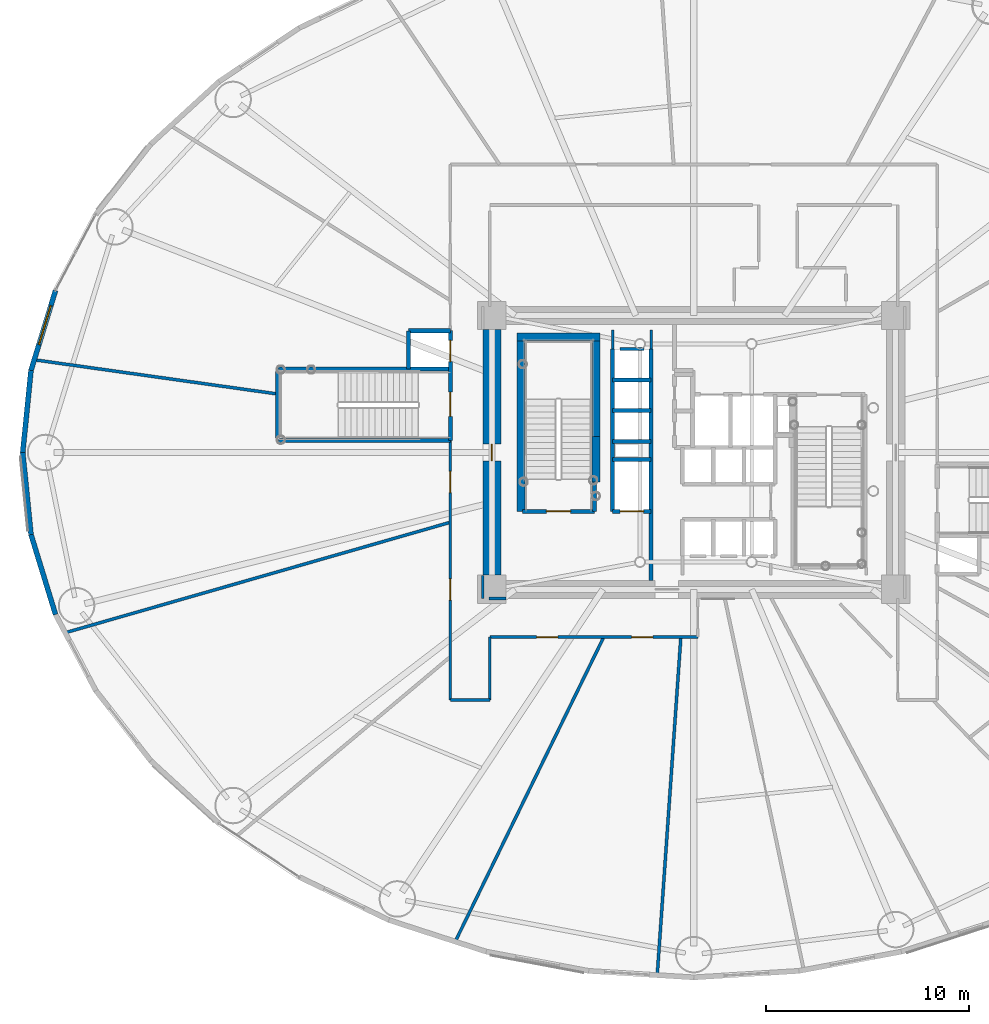
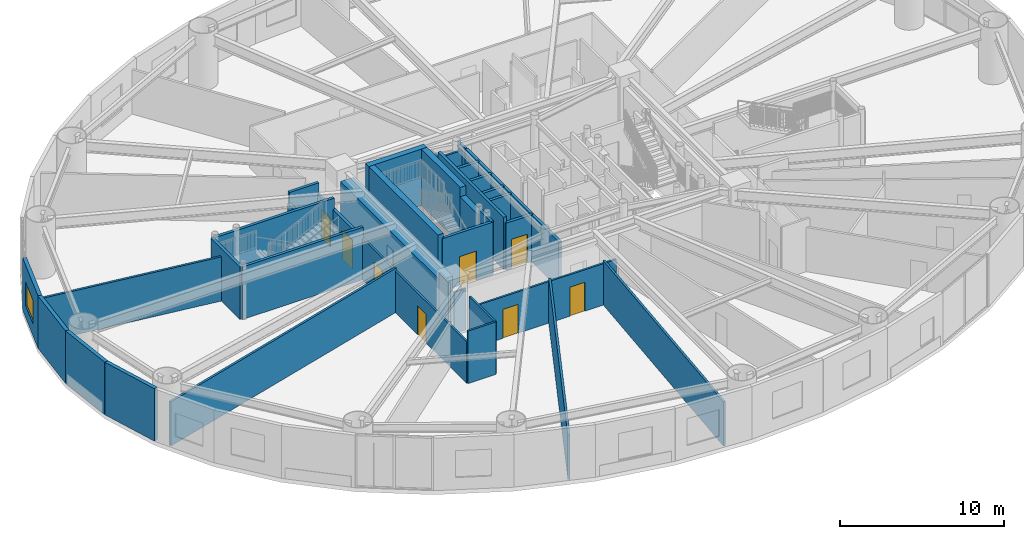
# One storey, part 13 of 27: 37 walls, 9 doors, 1 window, 10 openings.
"""IFC4 building model written with IfcOpenShell, lengths in metres."""

from ifc_helpers import new_model, si_unit, direction, frame, frame_2d, origin, origin_2d, place, context, subcontext, project, spatial, rectangle, extrude, source, transform, mapped, material, layer, layer_set, type_object, element, fill, save


model = new_model("IFC4")

# Units and contexts
model_context = context("Model", 3, precision=1e-05, world=origin(), true_north=direction((0.0, 1.0)))
body_context = subcontext(model_context, "Body", "Model", "MODEL_VIEW")
ifc_project = project(units=[si_unit("LENGTHUNIT", "METRE"), si_unit("AREAUNIT", "SQUARE_METRE"), si_unit("VOLUMEUNIT", "CUBIC_METRE"), si_unit("PLANEANGLEUNIT", "RADIAN"), si_unit("MASSUNIT", "GRAM", prefix="KILO")], contexts=[model_context])

# Site, building, storey
site_placement = place(None, origin())
site = spatial("IfcSite", under=ifc_project, at=site_placement, CompositionType="ELEMENT")
building_placement = place(site_placement, origin())
building = spatial("IfcBuilding", under=site, at=building_placement, Name="Linh Dai School and Residence Tower", CompositionType="ELEMENT")
storey_placement = place(building_placement, frame((0.0, 0.0, 18.60009765625)))
storey = spatial("IfcBuildingStorey", under=building, at=storey_placement, Name="L04", CompositionType="ELEMENT", Elevation=18.60009765625)

# Wall, opening, window
ifc_material_1 = material(Name="Precast Concrete B45 (C35/45)", Category="concrete")
ifc_layer_1 = layer(ifc_material_1, 0.25)
ifc_layer_set_1 = layer_set([ifc_layer_1], Name="Precast Concrete B45 (C35/45)")
wall_type_1 = type_object("IfcWallType", Name="EW-TC-250", PredefinedType="SOLIDWALL", material=ifc_layer_set_1)
wall_1_placement = place(storey_placement, frame((3.331298828125, 31.04248046875, 0.0), z_axis=(0.0, 0.0, 1.0), x_axis=(0.293070945898, 0.956090696885, 0.0)))
wall_1 = element("IfcWall", 1, at=wall_1_placement, inside=storey, type_object=wall_type_1, Name="L04 Terracotta Exterior Wall 19", PredefinedType="SOLIDWALL", context=body_context, shape_type="SweptSolid", body=[
    extrude(rectangle(XDim=4.125244140625, YDim=0.25, at=frame_2d((2.0625, 0.0))), origin(), (0.0, 0.0, 1.0), 3.89990234375),
])
opening_1_placement = place(wall_1_placement, frame((1.341552734375, 0.0, 0.89990234375)))
opening_1 = element("IfcOpeningElement", 2, at=opening_1_placement, cuts=wall_1, Name="Opening W1", PredefinedType="OPENING", context=body_context, shape_type="SweptSolid", body=[
    extrude(rectangle(XDim=2.0, YDim=1.75, at=origin_2d()), frame((1.0, 0.135009765625, 0.875), z_axis=(0.0, -1.0, 0.0), x_axis=(1.0, 0.0, 0.0)), (0.0, 0.0, 1.0), 0.27001953125),
])
ifc_material_2 = material(Name="Double Low-E Insulated Glazing", Category="glass")
window_type = type_object("IfcWindowType", Name="WN-RES-2000x1750", PartitioningType="DOUBLE_PANEL_VERTICAL", PredefinedType="WINDOW", material=ifc_material_2)
shared_shape_1 = source(origin(), body_context, "Body", "SweptSolid", [
    extrude(rectangle(XDim=2.0, YDim=1.75, at=origin_2d()), frame((1.0, 0.030029296875, 0.875), z_axis=(0.0, -1.0, 0.0), x_axis=(1.0, 0.0, 0.0)), (0.0, 0.0, 1.0), 0.06005859375),
])
window_placement = place(opening_1_placement, origin())
window = element("IfcWindow", 3, at=window_placement, inside=storey, type_object=window_type, Name="L04 Exterior Window 19.1", OverallHeight=1.75, OverallWidth=2.0, PartitioningType="DOUBLE_PANEL_VERTICAL", PredefinedType="WINDOW", context=body_context, shape_type="MappedRepresentation", body=[
    mapped(shared_shape_1, transform((0.0, 0.0, 0.0), x_axis=(1.0, 0.0, 0.0), y_axis=(0.0, 1.0, 0.0), z_axis=(0.0, 0.0, 1.0), scale=1.0)),
])
fill(opening_1, window)

# Walls
for number, where, z_axis, x_axis, name in (
    (4, (2.925048828125, 27.0, 0.0), (0.0, 0.0, 1.0), (0.099991575324, 0.994988283782, 0.0), "L04 Terracotta Exterior Wall 20"),
    (5, (3.331298828125, 22.95751953125, 0.0), (0.0, 0.0, 1.0), (-0.099991575324, 0.994988283782, 0.0), "L04 Terracotta Exterior Wall 21"),
):
    element("IfcWall", number, at=place(storey_placement, frame(where, z_axis=z_axis, x_axis=x_axis)), inside=storey, type_object=wall_type_1, Name=name, PredefinedType="SOLIDWALL", context=body_context, shape_type="SweptSolid", body=[
        extrude(rectangle(XDim=4.062744140625, YDim=0.25, at=frame_2d((2.03125, 0.0))), origin(), (0.0, 0.0, 1.0), 3.89990234375),
    ])
wall_2_placement = place(storey_placement, frame((4.540283203125, 19.013427734375, 0.0), z_axis=(0.0, 0.0, 1.0), x_axis=(-0.293070945898, 0.956090696885, 0.0)))
element("IfcWall", 6, at=wall_2_placement, inside=storey, type_object=wall_type_1, Name="L04 Terracotta Exterior Wall 22", PredefinedType="SOLIDWALL", context=body_context, shape_type="SweptSolid", body=[
    extrude(rectangle(XDim=4.125244140625, YDim=0.25, at=frame_2d((2.0625, 0.0))), origin(), (0.0, 0.0, 1.0), 3.89990234375),
])

# Wall, openings, doors
ifc_material_3 = material(Name="Autoclaved Aerated Concrete Blockwork", Category="masonry")
ifc_layer_2 = layer(ifc_material_3, 0.135009765625)
ifc_layer_set_2 = layer_set([ifc_layer_2], Name="Autoclaved Aerated Concrete Blockwork")
wall_type_2 = type_object("IfcWallType", Name="IW-CORR-135-EI90", PredefinedType="PARTITIONING", material=ifc_layer_set_2)
wall_3_placement = place(storey_placement, frame((24.0, 14.800048828125, 0.0), z_axis=(0.0, 0.0, 1.0), x_axis=(0.0, 1.0, 0.0)))
wall_3 = element("IfcWall", 7, at=wall_3_placement, inside=storey, type_object=wall_type_2, Name="L04 Interior Partition Wall 011", PredefinedType="PARTITIONING", context=body_context, shape_type="SweptSolid", body=[
    extrude(rectangle(XDim=12.780029296875, YDim=0.135009765625, at=frame_2d((6.39013671875, 0.0))), origin(), (0.0, 0.0, 1.0), 3.0849609375),
])
opening_2_placement = place(wall_3_placement, frame((10.224609375, 0.0, 0.0)))
opening_2 = element("IfcOpeningElement", 8, at=opening_2_placement, cuts=wall_3, Name="Opening D04", PredefinedType="OPENING", context=body_context, shape_type="SweptSolid", body=[
    extrude(rectangle(XDim=1.050048828125, YDim=2.14990234375, at=origin_2d()), frame((0.52490234375, 0.07763671875, 1.074951171875), z_axis=(0.0, -1.0, 0.0), x_axis=(1.0, 0.0, 0.0)), (0.0, 0.0, 1.0), 0.155029296875),
])
opening_3_placement = place(wall_3_placement, frame((4.919921875, 0.0, 0.0)))
opening_3 = element("IfcOpeningElement", 9, at=opening_3_placement, cuts=wall_3, Name="Opening D04", PredefinedType="OPENING", context=body_context, shape_type="SweptSolid", body=[
    extrude(rectangle(XDim=1.050048828125, YDim=2.14990234375, at=origin_2d()), frame((0.52490234375, 0.07763671875, 1.074951171875), z_axis=(0.0, -1.0, 0.0), x_axis=(1.0, 0.0, 0.0)), (0.0, 0.0, 1.0), 0.155029296875),
])
ifc_material_4 = material(Name="Acoustic Vision-Panel Timber Classroom Door", Category="wood")
door_type_1 = type_object("IfcDoorType", Name="DR-SCH-1050x2150-FD60S", OperationType="NOTDEFINED", PredefinedType="DOOR", material=ifc_material_4)
shared_shape_2 = source(origin(), body_context, "Body", "SweptSolid", [
    extrude(rectangle(XDim=1.050048828125, YDim=2.14990234375, at=origin_2d()), frame((0.52490234375, 0.02490234375, 1.074951171875), z_axis=(0.0, -1.0, 0.0), x_axis=(1.0, 0.0, 0.0)), (0.0, 0.0, 1.0), 0.050048828125),
])
door_1_placement = place(opening_2_placement, origin())
door_1 = element("IfcDoor", 10, at=door_1_placement, inside=storey, type_object=door_type_1, Name="L04 Middle School Classroom 3 Door", OperationType="SINGLE_SWING_LEFT", OverallHeight=2.14990234375, OverallWidth=1.050048828125, PredefinedType="DOOR", context=body_context, shape_type="MappedRepresentation", body=[
    mapped(shared_shape_2, transform((0.0, 0.0, 0.0), x_axis=(1.0, 0.0, 0.0), y_axis=(0.0, 1.0, 0.0), z_axis=(0.0, 0.0, 1.0), scale=1.0)),
])
fill(opening_2, door_1)
door_2_placement = place(opening_3_placement, origin())
door_2 = element("IfcDoor", 11, at=door_2_placement, inside=storey, type_object=door_type_1, Name="L04 Middle School Classroom 4 Door", OperationType="SINGLE_SWING_RIGHT", OverallHeight=2.14990234375, OverallWidth=1.050048828125, PredefinedType="DOOR", context=body_context, shape_type="MappedRepresentation", body=[
    mapped(shared_shape_2, transform((0.0, 0.0, 0.0), x_axis=(1.0, 0.0, 0.0), y_axis=(0.0, 1.0, 0.0), z_axis=(0.0, 0.0, 1.0), scale=1.0)),
])
fill(opening_3, door_2)

# Walls
wall_4_placement = place(storey_placement, frame((24.0, 14.800048828125, 0.0), z_axis=(0.0, 0.0, 1.0), x_axis=(1.0, 0.0, 0.0)))
element("IfcWall", 12, at=wall_4_placement, inside=storey, type_object=wall_type_2, Name="L04 Interior Partition Wall 012", PredefinedType="PARTITIONING", context=body_context, shape_type="SweptSolid", body=[
    extrude(rectangle(XDim=1.949951171875, YDim=0.135009765625, at=frame_2d((0.97509765625, 0.0))), origin(), (0.0, 0.0, 1.0), 3.89990234375),
])
wall_5_placement = place(storey_placement, frame((25.949951171875, 14.800048828125, 0.0), z_axis=(0.0, 0.0, 1.0), x_axis=(0.0, 1.0, 0.0)))
element("IfcWall", 13, at=wall_5_placement, inside=storey, type_object=wall_type_2, Name="L04 Interior Partition Wall 017", PredefinedType="PARTITIONING", context=body_context, shape_type="SweptSolid", body=[
    extrude(rectangle(XDim=3.099853515625, YDim=0.135009765625, at=frame_2d((1.5498046875, 0.0))), origin(), (0.0, 0.0, 1.0), 3.89990234375),
])

# Wall, openings, doors
wall_6_placement = place(storey_placement, frame((25.949951171875, 17.89990234375, 0.0), z_axis=(0.0, 0.0, 1.0), x_axis=(1.0, 0.0, 0.0)))
wall_6 = element("IfcWall", 14, at=wall_6_placement, inside=storey, type_object=wall_type_2, Name="L04 Interior Partition Wall 018", PredefinedType="PARTITIONING", context=body_context, shape_type="SweptSolid", body=[
    extrude(rectangle(XDim=10.25, YDim=0.135009765625, at=frame_2d((5.125, 0.0))), origin(), (0.0, 0.0, 1.0), 3.0849609375),
])
opening_4_placement = place(wall_6_placement, frame((2.30078125, 0.0, 0.0)))
opening_4 = element("IfcOpeningElement", 15, at=opening_4_placement, cuts=wall_6, Name="Opening D04", PredefinedType="OPENING", context=body_context, shape_type="SweptSolid", body=[
    extrude(rectangle(XDim=1.050048828125, YDim=2.14990234375, at=origin_2d()), frame((0.52490234375, 0.07763671875, 1.074951171875), z_axis=(0.0, -1.0, 0.0), x_axis=(1.0, 0.0, 0.0)), (0.0, 0.0, 1.0), 0.155029296875),
])
opening_5_placement = place(wall_6_placement, frame((6.98779296875, 0.0, 0.0)))
opening_5 = element("IfcOpeningElement", 16, at=opening_5_placement, cuts=wall_6, Name="Opening D04", PredefinedType="OPENING", context=body_context, shape_type="SweptSolid", body=[
    extrude(rectangle(XDim=1.050048828125, YDim=2.14990234375, at=origin_2d()), frame((0.52490234375, 0.07763671875, 1.074951171875), z_axis=(0.0, -1.0, 0.0), x_axis=(1.0, 0.0, 0.0)), (0.0, 0.0, 1.0), 0.155029296875),
])
door_3_placement = place(opening_4_placement, origin())
door_3 = element("IfcDoor", 17, at=door_3_placement, inside=storey, type_object=door_type_1, Name="L04 Middle School Classroom 5 Door", OperationType="SINGLE_SWING_LEFT", OverallHeight=2.14990234375, OverallWidth=1.050048828125, PredefinedType="DOOR", context=body_context, shape_type="MappedRepresentation", body=[
    mapped(shared_shape_2, transform((0.0, 0.0, 0.0), x_axis=(1.0, 0.0, 0.0), y_axis=(0.0, 1.0, 0.0), z_axis=(0.0, 0.0, 1.0), scale=1.0)),
])
fill(opening_4, door_3)
door_4_placement = place(opening_5_placement, origin())
door_4 = element("IfcDoor", 18, at=door_4_placement, inside=storey, type_object=door_type_1, Name="L04 Middle School Classroom 6 Door", OperationType="SINGLE_SWING_RIGHT", OverallHeight=2.14990234375, OverallWidth=1.050048828125, PredefinedType="DOOR", context=body_context, shape_type="MappedRepresentation", body=[
    mapped(shared_shape_2, transform((0.0, 0.0, 0.0), x_axis=(1.0, 0.0, 0.0), y_axis=(0.0, 1.0, 0.0), z_axis=(0.0, 0.0, 1.0), scale=1.0)),
])
fill(opening_5, door_4)

# Walls
wall_7_placement = place(storey_placement, frame((32.360107421875, 32.10009765625, 0.0), z_axis=(0.0, 0.0, 1.0), x_axis=(1.0, 0.0, 0.0)))
element("IfcWall", 19, at=wall_7_placement, inside=storey, type_object=wall_type_2, Name="L04 Interior Partition Wall 080", PredefinedType="PARTITIONING", context=body_context, shape_type="SweptSolid", body=[
    extrude(rectangle(XDim=1.179931640625, YDim=0.135009765625, at=frame_2d((0.58984375, 0.0))), origin(), (0.0, 0.0, 1.0), 3.48486328125),
])
wall_8_placement = place(storey_placement, frame((32.0, 33.0400390625, 0.0), z_axis=(0.0, 0.0, 1.0), x_axis=(0.0, -1.0, 0.0)))
element("IfcWall", 20, at=wall_8_placement, inside=storey, type_object=wall_type_2, Name="L04 Interior Partition Wall 082", PredefinedType="PARTITIONING", context=body_context, shape_type="SweptSolid", body=[
    extrude(rectangle(XDim=0.929931640625, YDim=0.135009765625, at=frame_2d((0.46484375, 0.0))), origin(), (0.0, 0.0, 1.0), 3.434814453125),
])
wall_9_placement = place(storey_placement, frame((33.89990234375, 32.110107421875, 0.0), z_axis=(0.0, 0.0, 1.0), x_axis=(0.0, 1.0, 0.0)))
element("IfcWall", 21, at=wall_9_placement, inside=storey, type_object=wall_type_2, Name="L04 Interior Partition Wall 085", PredefinedType="PARTITIONING", context=body_context, shape_type="SweptSolid", body=[
    extrude(rectangle(XDim=0.929931640625, YDim=0.135009765625, at=frame_2d((0.46484375, 0.0))), origin(), (0.0, 0.0, 1.0), 3.48486328125),
])
wall_10_placement = place(storey_placement, frame((25.60009765625, 20.93994140625, 0.0), z_axis=(0.0, 0.0, 1.0), x_axis=(0.0, -1.0, 0.0)))
element("IfcWall", 22, at=wall_10_placement, inside=storey, type_object=wall_type_2, Name="L04 Interior Partition Wall 100", PredefinedType="PARTITIONING", context=body_context, shape_type="SweptSolid", body=[
    extrude(rectangle(XDim=1.139892578125, YDim=0.135009765625, at=frame_2d((0.56982421875, 0.0))), origin(), (0.0, 0.0, 1.0), 3.89990234375),
])
wall_11_placement = place(storey_placement, frame((25.907470703125, 19.800048828125, 0.0), z_axis=(0.0, 0.0, 1.0), x_axis=(1.0, 0.0, 0.0)))
element("IfcWall", 23, at=wall_11_placement, inside=storey, type_object=wall_type_2, Name="L04 Interior Partition Wall 101", PredefinedType="PARTITIONING", context=body_context, shape_type="SweptSolid", body=[
    extrude(rectangle(XDim=0.83251953125, YDim=0.135009765625, at=frame_2d((0.416259765625, 0.0))), origin(), (0.0, 0.0, 1.0), 3.0849609375),
])
ifc_layer_3 = layer(ifc_material_3, 0.14990234375)
ifc_layer_set_3 = layer_set([ifc_layer_3], Name="Autoclaved Aerated Concrete Blockwork")
wall_type_3 = type_object("IfcWallType", Name="IW-SCH-150-EI60", PredefinedType="PARTITIONING", material=ifc_layer_set_3)
wall_12_placement = place(storey_placement, frame((3.487548828125, 31.5693359375, 0.0), z_axis=(0.0, 0.0, 1.0), x_axis=(0.990266697118, -0.139182860221, 0.0)))
element("IfcWall", 24, at=wall_12_placement, inside=storey, type_object=wall_type_3, Name="L04 Interior Partition Wall 001", PredefinedType="PARTITIONING", context=body_context, shape_type="SweptSolid", body=[
    extrude(rectangle(XDim=12.1103515625, YDim=0.14990234375, at=frame_2d((6.05517578125, 0.0))), origin(), (0.0, 0.0, 1.0), 3.284912109375),
])
wall_13_placement = place(storey_placement, frame((5.010498046875, 18.114013671875, 0.0), z_axis=(0.0, 0.0, 1.0), x_axis=(0.9612628186, 0.275633440599, 0.0)))
element("IfcWall", 25, at=wall_13_placement, inside=storey, type_object=wall_type_3, Name="L04 Interior Partition Wall 002", PredefinedType="PARTITIONING", context=body_context, shape_type="SweptSolid", body=[
    extrude(rectangle(XDim=19.754638671875, YDim=0.14990234375, at=frame_2d((9.87744140625, 0.0))), origin(), (0.0, 0.0, 1.0), 3.284912109375),
])
wall_14_placement = place(storey_placement, frame((24.238525390625, 2.8857421875, 0.0), z_axis=(0.0, 0.0, 1.0), x_axis=(0.438376120456, 0.898791620463, 0.0)))
element("IfcWall", 26, at=wall_14_placement, inside=storey, type_object=wall_type_3, Name="L04 Interior Partition Wall 016", PredefinedType="PARTITIONING", context=body_context, shape_type="SweptSolid", body=[
    extrude(rectangle(XDim=16.704833984375, YDim=0.14990234375, at=frame_2d((8.3525390625, 0.0))), origin(), (0.0, 0.0, 1.0), 3.284912109375),
])
wall_15_placement = place(storey_placement, frame((34.197998046875, 1.23095703125, 0.0), z_axis=(0.0, 0.0, 1.0), x_axis=(0.069766316907, 0.99756336191, 0.0)))
element("IfcWall", 27, at=wall_15_placement, inside=storey, type_object=wall_type_3, Name="L04 Interior Partition Wall 028", PredefinedType="PARTITIONING", context=body_context, shape_type="SweptSolid", body=[
    extrude(rectangle(XDim=16.709716796875, YDim=0.14990234375, at=frame_2d((8.35498046875, 0.0))), origin(), (0.0, 0.0, 1.0), 3.284912109375),
])
ifc_material_5 = material(Name="Concrete B45 (C35/45)", Category="concrete")
ifc_layer_4 = layer(ifc_material_5, 0.199951171875)
ifc_layer_set_4 = layer_set([ifc_layer_4], Name="Concrete B45 (C35/45)")
wall_type_4 = type_object("IfcWallType", Name="IW-SHAFT-200-EI120", PredefinedType="PARTITIONING", material=ifc_layer_set_4)
wall_16_placement = place(storey_placement, frame((15.47998046875, 27.580078125, 0.0), z_axis=(0.0, 0.0, 1.0), x_axis=(0.0, 1.0, 0.0)))
element("IfcWall", 28, at=wall_16_placement, inside=storey, type_object=wall_type_4, Name="L04 Interior Partition Wall 005", PredefinedType="PARTITIONING", context=body_context, shape_type="SweptSolid", body=[
    extrude(rectangle(XDim=3.5400390625, YDim=0.199951171875, at=frame_2d((1.77001953125, 0.0))), origin(), (0.0, 0.0, 1.0), 3.89990234375),
])
for number, where, z_axis, x_axis, name in (
    (29, (15.47998046875, 27.580078125, 0.0), (0.0, 0.0, 1.0), (1.0, 0.0, 0.0), "L04 Interior Partition Wall 006"),
    (30, (15.47998046875, 31.1201171875, 0.0), (0.0, 0.0, 1.0), (1.0, 0.0, 0.0), "L04 Interior Partition Wall 007"),
):
    element("IfcWall", number, at=place(storey_placement, frame(where, z_axis=z_axis, x_axis=x_axis)), inside=storey, type_object=wall_type_4, Name=name, PredefinedType="PARTITIONING", context=body_context, shape_type="SweptSolid", body=[
        extrude(rectangle(XDim=8.52001953125, YDim=0.199951171875, at=frame_2d((4.260009765625, 0.0))), origin(), (0.0, 0.0, 1.0), 3.89990234375),
    ])
wall_17_placement = place(storey_placement, frame((21.949951171875, 31.1201171875, 0.0), z_axis=(0.0, 0.0, 1.0), x_axis=(0.0, 1.0, 0.0)))
element("IfcWall", 31, at=wall_17_placement, inside=storey, type_object=wall_type_4, Name="L04 Interior Partition Wall 009", PredefinedType="PARTITIONING", context=body_context, shape_type="SweptSolid", body=[
    extrude(rectangle(XDim=1.8798828125, YDim=0.199951171875, at=frame_2d((0.93994140625, 0.0))), origin(), (0.0, 0.0, 1.0), 3.0849609375),
])
wall_18_placement = place(storey_placement, frame((21.949951171875, 33.0, 0.0), z_axis=(0.0, 0.0, 1.0), x_axis=(1.0, 0.0, 0.0)))
element("IfcWall", 32, at=wall_18_placement, inside=storey, type_object=wall_type_4, Name="L04 Interior Partition Wall 010", PredefinedType="PARTITIONING", context=body_context, shape_type="SweptSolid", body=[
    extrude(rectangle(XDim=2.050048828125, YDim=0.199951171875, at=frame_2d((1.02490234375, 0.0))), origin(), (0.0, 0.0, 1.0), 3.89990234375),
])

# Wall, openings, doors
wall_19_placement = place(storey_placement, frame((24.0, 27.590087890625, 0.0), z_axis=(0.0, 0.0, 1.0), x_axis=(0.0, 1.0, 0.0)))
wall_19 = element("IfcWall", 33, at=wall_19_placement, inside=storey, type_object=wall_type_4, Name="L04 Interior Partition Wall 013", PredefinedType="PARTITIONING", context=body_context, shape_type="SweptSolid", body=[
    extrude(rectangle(XDim=5.409912109375, YDim=0.199951171875, at=frame_2d((2.705078125, 0.0))), origin(), (0.0, 0.0, 1.0), 3.0849609375),
])
opening_6_placement = place(wall_19_placement, frame((1.18505859375, 0.0, 0.0)))
opening_6 = element("IfcOpeningElement", 34, at=opening_6_placement, cuts=wall_19, Name="Opening D01", PredefinedType="OPENING", context=body_context, shape_type="SweptSolid", body=[
    extrude(rectangle(XDim=1.199951171875, YDim=2.14990234375, at=origin_2d()), frame((0.60009765625, 0.10986328125, 1.074951171875), z_axis=(0.0, -1.0, 0.0), x_axis=(1.0, 0.0, 0.0)), (0.0, 0.0, 1.0), 0.219970703125),
])
opening_7_placement = place(wall_19_placement, frame((3.889892578125, 0.0, 0.0)))
opening_7 = element("IfcOpeningElement", 35, at=opening_7_placement, cuts=wall_19, Name="Opening LD-SL1", PredefinedType="OPENING", context=body_context, shape_type="SweptSolid", body=[
    extrude(rectangle(XDim=1.050048828125, YDim=2.14990234375, at=origin_2d()), frame((0.52490234375, 0.10986328125, 1.074951171875), z_axis=(0.0, -1.0, 0.0), x_axis=(1.0, 0.0, 0.0)), (0.0, 0.0, 1.0), 0.219970703125),
])
ifc_material_6 = material(Name="Fire-Rated Steel Door Leaf", Category="steel")
door_type_2 = type_object("IfcDoorType", Name="DR-STAIR-1200x2150-FD90S", OperationType="NOTDEFINED", PredefinedType="DOOR", material=ifc_material_6)
shared_shape_3 = source(origin(), body_context, "Body", "SweptSolid", [
    extrude(rectangle(XDim=1.199951171875, YDim=2.14990234375, at=origin_2d()), frame((0.60009765625, 0.02490234375, 1.074951171875), z_axis=(0.0, -1.0, 0.0), x_axis=(1.0, 0.0, 0.0)), (0.0, 0.0, 1.0), 0.050048828125),
])
door_5_placement = place(opening_6_placement, origin())
door_5 = element("IfcDoor", 36, at=door_5_placement, inside=storey, type_object=door_type_2, Name="L04 Exit Stair STS1 Door", OperationType="SINGLE_SWING_RIGHT", OverallHeight=2.14990234375, OverallWidth=1.199951171875, PredefinedType="DOOR", context=body_context, shape_type="MappedRepresentation", body=[
    mapped(shared_shape_3, transform((0.0, 0.0, 0.0), x_axis=(1.0, 0.0, 0.0), y_axis=(0.0, 1.0, 0.0), z_axis=(0.0, 0.0, 1.0), scale=1.0)),
])
fill(opening_6, door_5)
ifc_material_7 = material(Name="Brushed Stainless Steel Lift Landing Door", Category="steel")
door_type_3 = type_object("IfcDoorType", Name="DR-LD-PASS-1050x2150", OperationType="DOUBLE_DOOR_SLIDING", PredefinedType="USERDEFINED", material=ifc_material_7)
shared_shape_4 = source(origin(), body_context, "Body", "SweptSolid", [
    extrude(rectangle(XDim=1.050048828125, YDim=2.14990234375, at=origin_2d()), frame((0.52490234375, 0.02490234375, 1.074951171875), z_axis=(0.0, -1.0, 0.0), x_axis=(1.0, 0.0, 0.0)), (0.0, 0.0, 1.0), 0.050048828125),
])
door_6_placement = place(opening_7_placement, origin())
door_6 = element("IfcDoor", 37, at=door_6_placement, inside=storey, type_object=door_type_3, Name="L04 Lift SL1 Sliding Landing Door", ObjectType="LANDING DOOR", OperationType="DOUBLE_DOOR_SLIDING", OverallHeight=2.14990234375, OverallWidth=1.050048828125, PredefinedType="USERDEFINED", context=body_context, shape_type="MappedRepresentation", body=[
    mapped(shared_shape_4, transform((0.0, 0.0, 0.0), x_axis=(1.0, 0.0, 0.0), y_axis=(0.0, 1.0, 0.0), z_axis=(0.0, 0.0, 1.0), scale=1.0)),
])
fill(opening_7, door_6)

# Wall, opening, door
wall_20_placement = place(storey_placement, frame((27.56005859375, 24.10009765625, 0.0), z_axis=(0.0, 0.0, 1.0), x_axis=(1.0, 0.0, 0.0)))
wall_20 = element("IfcWall", 38, at=wall_20_placement, inside=storey, type_object=wall_type_4, Name="L04 Interior Partition Wall 019", PredefinedType="PARTITIONING", context=body_context, shape_type="SweptSolid", body=[
    extrude(rectangle(XDim=3.5400390625, YDim=0.199951171875, at=frame_2d((1.77001953125, 0.0))), origin(), (0.0, 0.0, 1.0), 3.89990234375),
])
opening_8_placement = place(wall_20_placement, frame((1.169921875, 0.0, 0.0)))
opening_8 = element("IfcOpeningElement", 39, at=opening_8_placement, cuts=wall_20, Name="Opening D01", PredefinedType="OPENING", context=body_context, shape_type="SweptSolid", body=[
    extrude(rectangle(XDim=1.199951171875, YDim=2.14990234375, at=origin_2d()), frame((0.60009765625, 0.10986328125, 1.074951171875), z_axis=(0.0, -1.0, 0.0), x_axis=(1.0, 0.0, 0.0)), (0.0, 0.0, 1.0), 0.219970703125),
])
door_7_placement = place(opening_8_placement, origin())
door_7 = element("IfcDoor", 40, at=door_7_placement, inside=storey, type_object=door_type_2, Name="L04 Core Smokeproof Exit Stair ST1 Door", OperationType="SINGLE_SWING_RIGHT", OverallHeight=2.14990234375, OverallWidth=1.199951171875, PredefinedType="DOOR", context=body_context, shape_type="MappedRepresentation", body=[
    mapped(shared_shape_3, transform((0.0, 0.0, 0.0), x_axis=(1.0, 0.0, 0.0), y_axis=(0.0, 1.0, 0.0), z_axis=(0.0, 0.0, 1.0), scale=1.0)),
])
fill(opening_8, door_7)

# Walls
wall_21_placement = place(storey_placement, frame((31.10009765625, 24.10009765625, 0.0), z_axis=(0.0, 0.0, 1.0), x_axis=(0.0, 1.0, 0.0)))
element("IfcWall", 41, at=wall_21_placement, inside=storey, type_object=wall_type_4, Name="L04 Interior Partition Wall 020", PredefinedType="PARTITIONING", context=body_context, shape_type="SweptSolid", body=[
    extrude(rectangle(XDim=1.43994140625, YDim=0.199951171875, at=frame_2d((0.719970703125, 0.0))), origin(), (0.0, 0.0, 1.0), 3.89990234375),
])
wall_22_placement = place(storey_placement, frame((32.0, 24.10009765625, 0.0), z_axis=(0.0, 0.0, 1.0), x_axis=(0.0, 1.0, 0.0)))
element("IfcWall", 42, at=wall_22_placement, inside=storey, type_object=wall_type_4, Name="L04 Interior Partition Wall 021", PredefinedType="PARTITIONING", context=body_context, shape_type="SweptSolid", body=[
    extrude(rectangle(XDim=8.0, YDim=0.199951171875, at=frame_2d((4.0, 0.0))), origin(), (0.0, 0.0, 1.0), 3.89990234375),
])

# Wall, opening, door
wall_23_placement = place(storey_placement, frame((32.0, 24.10009765625, 0.0), z_axis=(0.0, 0.0, 1.0), x_axis=(1.0, 0.0, 0.0)))
wall_23 = element("IfcWall", 43, at=wall_23_placement, inside=storey, type_object=wall_type_4, Name="L04 Interior Partition Wall 022", PredefinedType="PARTITIONING", context=body_context, shape_type="SweptSolid", body=[
    extrude(rectangle(XDim=1.89990234375, YDim=0.199951171875, at=frame_2d((0.949951171875, 0.0))), origin(), (0.0, 0.0, 1.0), 3.48486328125),
])
opening_9_placement = place(wall_23_placement, frame((0.375, 0.0, 0.0)))
opening_9 = element("IfcOpeningElement", 44, at=opening_9_placement, cuts=wall_23, Name="Opening LD-FF2", PredefinedType="OPENING", context=body_context, shape_type="SweptSolid", body=[
    extrude(rectangle(XDim=1.14990234375, YDim=2.14990234375, at=origin_2d()), frame((0.574951171875, 0.10986328125, 1.074951171875), z_axis=(0.0, -1.0, 0.0), x_axis=(1.0, 0.0, 0.0)), (0.0, 0.0, 1.0), 0.219970703125),
])
ifc_material_8 = material(Name="Fire-Rated Stainless Steel Firefighting Lift Door", Category="steel")
door_type_4 = type_object("IfcDoorType", Name="DR-LD-FF-1150x2150-FD120", OperationType="DOUBLE_DOOR_SLIDING", PredefinedType="USERDEFINED", material=ifc_material_8)
shared_shape_5 = source(origin(), body_context, "Body", "SweptSolid", [
    extrude(rectangle(XDim=1.14990234375, YDim=2.14990234375, at=origin_2d()), frame((0.574951171875, 0.02490234375, 1.074951171875), z_axis=(0.0, -1.0, 0.0), x_axis=(1.0, 0.0, 0.0)), (0.0, 0.0, 1.0), 0.050048828125),
])
door_8_placement = place(opening_9_placement, origin())
door_8 = element("IfcDoor", 45, at=door_8_placement, inside=storey, type_object=door_type_4, Name="L04 Lift FF2 Sliding Landing Door", ObjectType="LANDING DOOR", OperationType="DOUBLE_DOOR_SLIDING", OverallHeight=2.14990234375, OverallWidth=1.14990234375, PredefinedType="USERDEFINED", context=body_context, shape_type="MappedRepresentation", body=[
    mapped(shared_shape_5, transform((0.0, 0.0, 0.0), x_axis=(1.0, 0.0, 0.0), y_axis=(0.0, 1.0, 0.0), z_axis=(0.0, 0.0, 1.0), scale=1.0)),
])
fill(opening_9, door_8)

# Walls
for number, where, z_axis, x_axis, name in (
    (46, (32.0, 26.64990234375, 0.0), (0.0, 0.0, 1.0), (1.0, 0.0, 0.0), "L04 Interior Partition Wall 023"),
    (47, (32.0, 27.550048828125, 0.0), (0.0, 0.0, 1.0), (1.0, 0.0, 0.0), "L04 Interior Partition Wall 024"),
    (48, (32.0, 29.06005859375, 0.0), (0.0, 0.0, 1.0), (1.0, 0.0, 0.0), "L04 Interior Partition Wall 025"),
    (49, (32.0, 30.580078125, 0.0), (0.0, 0.0, 1.0), (1.0, 0.0, 0.0), "L04 Interior Partition Wall 026"),
):
    element("IfcWall", number, at=place(storey_placement, frame(where, z_axis=z_axis, x_axis=x_axis)), inside=storey, type_object=wall_type_4, Name=name, PredefinedType="PARTITIONING", context=body_context, shape_type="SweptSolid", body=[
        extrude(rectangle(XDim=1.89990234375, YDim=0.199951171875, at=frame_2d((0.949951171875, 0.0))), origin(), (0.0, 0.0, 1.0), 3.48486328125),
    ])
wall_24_placement = place(storey_placement, frame((33.89990234375, 20.699951171875, 0.0), z_axis=(0.0, 0.0, 1.0), x_axis=(0.0, 1.0, 0.0)))
element("IfcWall", 50, at=wall_24_placement, inside=storey, type_object=wall_type_4, Name="L04 Interior Partition Wall 027", PredefinedType="PARTITIONING", context=body_context, shape_type="SweptSolid", body=[
    extrude(rectangle(XDim=11.400146484375, YDim=0.199951171875, at=frame_2d((5.7001953125, 0.0))), origin(), (0.0, 0.0, 1.0), 3.48486328125),
])
ifc_layer_5 = layer(ifc_material_5, 0.39990234375)
ifc_layer_set_5 = layer_set([ifc_layer_5], Name="Concrete B45 (C35/45)")
wall_type_5 = type_object("IfcWallType", Name="WL-CORE400", PredefinedType="SHEAR", material=ifc_layer_set_5)
wall_25_placement = place(storey_placement, frame((27.47998046875, 24.10009765625, 0.0), z_axis=(0.0, 0.0, 1.0), x_axis=(0.0, 1.0, 0.0)))
element("IfcWall", 51, at=wall_25_placement, inside=storey, type_object=wall_type_5, Name="L04 Core Stair ST1 Bearing Wall W", PredefinedType="SHEAR", context=body_context, shape_type="SweptSolid", body=[
    extrude(rectangle(XDim=8.599853515625, YDim=0.39990234375, at=frame_2d((4.2998046875, 0.0))), origin(), (0.0, 0.0, 1.0), 4.199951171875),
])
wall_26_placement = place(storey_placement, frame((31.179931640625, 27.800048828125, 0.0), z_axis=(0.0, 0.0, 1.0), x_axis=(0.0, 1.0, 0.0)))
element("IfcWall", 52, at=wall_26_placement, inside=storey, type_object=wall_type_5, Name="L04 Core Stair ST1 Bearing Wall E", PredefinedType="SHEAR", context=body_context, shape_type="SweptSolid", body=[
    extrude(rectangle(XDim=4.89990234375, YDim=0.39990234375, at=frame_2d((2.449951171875, 0.0))), origin(), (0.0, 0.0, 1.0), 4.199951171875),
])
wall_27_placement = place(storey_placement, frame((27.280029296875, 32.699951171875, 0.0), z_axis=(0.0, 0.0, 1.0), x_axis=(1.0, 0.0, 0.0)))
element("IfcWall", 53, at=wall_27_placement, inside=storey, type_object=wall_type_5, Name="L04 Core Stair ST1 Bearing Wall N", PredefinedType="SHEAR", context=body_context, shape_type="SweptSolid", body=[
    extrude(rectangle(XDim=4.099853515625, YDim=0.39990234375, at=frame_2d((2.0498046875, 0.0))), origin(), (0.0, 0.0, 1.0), 4.199951171875),
])
wall_28_placement = place(storey_placement, frame((31.179931640625, 25.550048828125, 0.0), z_axis=(0.0, 0.0, 1.0), x_axis=(0.0, 1.0, 0.0)))
element("IfcWall", 54, at=wall_28_placement, inside=storey, type_object=wall_type_5, Name="L04 Internal Core Shear Wall IW", PredefinedType="SHEAR", context=body_context, shape_type="SweptSolid", body=[
    extrude(rectangle(XDim=2.25, YDim=0.39990234375, at=frame_2d((1.125, 0.0))), origin(), (0.0, 0.0, 1.0), 3.5),
])

# Wall, opening, door
ifc_material_9 = material(Name="Concrete B60 (C50/60)", Category="concrete")
ifc_layer_6 = layer(ifc_material_9, 0.89990234375)
ifc_layer_set_6 = layer_set([ifc_layer_6], Name="Concrete B60 (C50/60)")
wall_type_6 = type_object("IfcWallType", Name="WL-CORE900", PredefinedType="SHEAR", material=ifc_layer_set_6)
wall_29_placement = place(storey_placement, frame((26.050048828125, 20.949951171875, 0.0), z_axis=(0.0, 0.0, 1.0), x_axis=(0.0, 1.0, 0.0)))
wall_29 = element("IfcWall", 55, at=wall_29_placement, inside=storey, type_object=wall_type_6, Name="L04 Central Core Shear Wall W", PredefinedType="SHEAR", context=body_context, shape_type="SweptSolid", body=[
    extrude(rectangle(XDim=12.10009765625, YDim=0.89990234375, at=frame_2d((6.050048828125, 0.0))), origin(), (0.0, 0.0, 1.0), 3.349853515625),
])
opening_10_placement = place(wall_29_placement, frame((5.639892578125, 0.0, 0.0)))
opening_10 = element("IfcOpeningElement", 56, at=opening_10_placement, cuts=wall_29, Name="Opening D06", PredefinedType="OPENING", context=body_context, shape_type="SweptSolid", body=[
    extrude(rectangle(XDim=0.820068359375, YDim=2.10009765625, at=origin_2d()), frame((0.41015625, 0.4599609375, 1.050048828125), z_axis=(0.0, -1.0, 0.0), x_axis=(1.0, 0.0, 0.0)), (0.0, 0.0, 1.0), 0.919921875),
])
ifc_material_10 = material(Name="Moisture-Resistant Timber Bathroom Door", Category="wood")
door_type_5 = type_object("IfcDoorType", Name="DR-WET-820x2100", OperationType="NOTDEFINED", PredefinedType="DOOR", material=ifc_material_10)
shared_shape_6 = source(origin(), body_context, "Body", "SweptSolid", [
    extrude(rectangle(XDim=0.820068359375, YDim=2.10009765625, at=origin_2d()), frame((0.41015625, 0.02490234375, 1.050048828125), z_axis=(0.0, -1.0, 0.0), x_axis=(1.0, 0.0, 0.0)), (0.0, 0.0, 1.0), 0.050048828125),
])
door_9_placement = place(opening_10_placement, origin())
door_9 = element("IfcDoor", 57, at=door_9_placement, inside=storey, type_object=door_type_5, Name="L04 Firefighting Lobby Door", OperationType="SINGLE_SWING_LEFT", OverallHeight=2.10009765625, OverallWidth=0.820068359375, PredefinedType="DOOR", context=body_context, shape_type="MappedRepresentation", body=[
    mapped(shared_shape_6, transform((0.0, 0.0, 0.0), x_axis=(1.0, 0.0, 0.0), y_axis=(0.0, 1.0, 0.0), z_axis=(0.0, 0.0, 1.0), scale=1.0)),
])
fill(opening_10, door_9)

save(model, "model.ifc")
